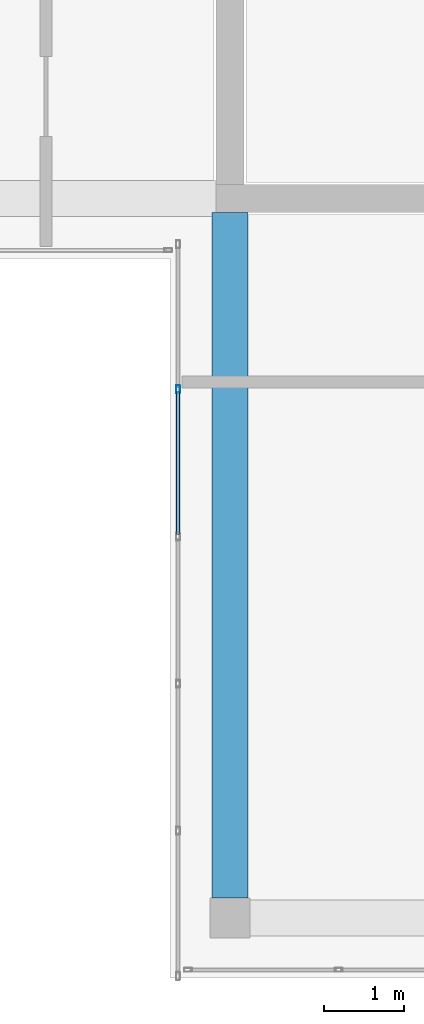
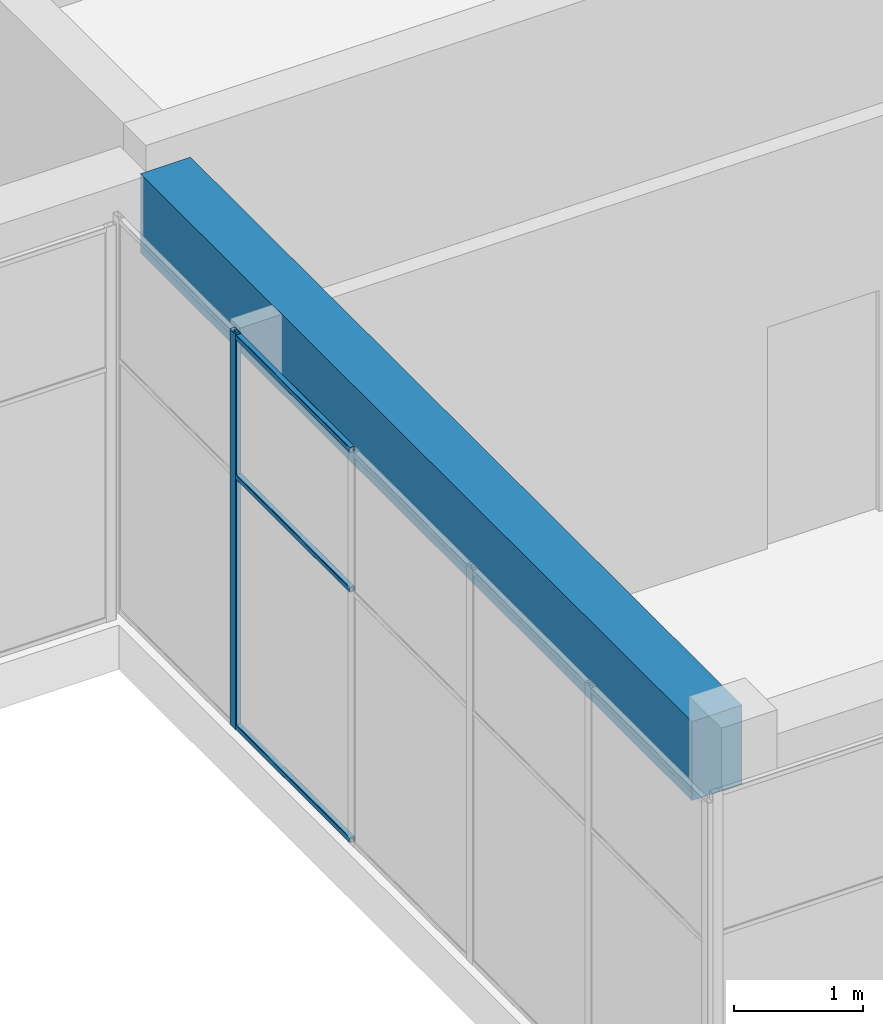
# One storey, part 3 of 34: 4 members, 1 beam, 1 element without a shape of its own.
"""IFC4 building model written with IfcOpenShell, lengths in metres."""

from ifc_helpers import new_model, si_unit, direction, frame, origin, origin_2d, place, context, subcontext, project, spatial, rectangle, hollow_rectangle, extrude, material, layer, layer_set, material_profile, profile_set, type_object, element, aggregate, save


model = new_model("IFC4")

# Units and contexts
model_context = context("Model", 3, precision=1e-05, world=origin(), true_north=direction((0.0, 1.0)))
body_context = subcontext(model_context, "Body", "Model", "MODEL_VIEW")
ifc_project = project(units=[si_unit("LENGTHUNIT", "METRE"), si_unit("AREAUNIT", "SQUARE_METRE"), si_unit("VOLUMEUNIT", "CUBIC_METRE"), si_unit("PLANEANGLEUNIT", "RADIAN"), si_unit("MASSUNIT", "GRAM", prefix="KILO")], contexts=[model_context])

# Site, building, storey
site_placement = place(None, origin())
site = spatial("IfcSite", under=ifc_project, at=site_placement, CompositionType="ELEMENT")
building_placement = place(site_placement, origin())
building = spatial("IfcBuilding", under=site, at=building_placement, Name="Tuart Plaza Theatre", CompositionType="ELEMENT")
storey_placement = place(building_placement, frame((0.0, 0.0, 53.5)))
storey = spatial("IfcBuildingStorey", under=building, at=storey_placement, Name="L13", CompositionType="ELEMENT", Elevation=53.5)

# Beam
ifc_material_1 = material(Name="Concrete N40 (40 MPa)", Category="concrete")
ifc_material_profile_1 = material_profile(ifc_material_1, rectangle(XDim=0.449951171875, YDim=0.75, at=origin_2d()), Name="BEAM 450x750 Concrete N40 (40 MPa)")
ifc_profile_set_1 = profile_set([ifc_material_profile_1], Name="Concrete N40 (40 MPa)")
beam_type = type_object("IfcBeamType", Name="BEAM 450x750 Concrete N40 (40 MPa)", PredefinedType="BEAM", material=ifc_profile_set_1)
beam_placement = place(storey_placement, frame((123.0, 56.25, 3.375), z_axis=(0.0, 1.0, 0.0), x_axis=(-1.0, 0.0, 0.0)))
element("IfcBeam", 1, at=beam_placement, inside=storey, type_object=beam_type, Name="RB327", PredefinedType="BEAM", context=body_context, shape_type="SweptSolid", body=[
    extrude(rectangle(XDim=0.449951171875, YDim=0.75, at=origin_2d()), origin(), (0.0, 0.0, 1.0), 8.574951171875),
])

# Curtain wall, members
ifc_material_2 = material(Name="Aluminium and glass", Category="aluminium")
ifc_layer = layer(ifc_material_2, 0.10009765625)
ifc_layer_set = layer_set([ifc_layer], Name="CURTAIN WALL 2000 module")
curtain_wall_type = type_object("IfcCurtainWallType", Name="CURTAIN WALL 2000 module", PredefinedType="NOTDEFINED", material=ifc_layer_set)
curtain_wall_placement = place(storey_placement, origin())
curtain_wall = element("IfcCurtainWall", 2, at=curtain_wall_placement, inside=storey, type_object=curtain_wall_type, Name="CW121", PredefinedType="NOTDEFINED")
ifc_material_3 = material(Name="Aluminium 6063-T5", Category="aluminium")
ifc_material_profile_2 = material_profile(ifc_material_3, hollow_rectangle(XDim=0.050048828125, YDim=0.10009765625, WallThickness=0.00390625, InnerFilletRadius=0.00390625, OuterFilletRadius=0.008056640625, at=origin_2d()), Name="RHS 100x50x4")
ifc_profile_set_2 = profile_set([ifc_material_profile_2], Name="Aluminium 6063-T5")
member_type_1 = type_object("IfcMemberType", Name="MULLION RHS 100x50x4", PredefinedType="MULLION", material=ifc_profile_set_2)
member_1_placement = place(storey_placement, frame((122.35009765625, 62.610107421875, 0.0), z_axis=(0.0, 0.0, 1.0), x_axis=(1.0, 0.0, 0.0)))
member_1 = element("IfcMember", 3, at=member_1_placement, type_object=member_type_1, Name="CW121 mullion 2", PredefinedType="MULLION", context=body_context, shape_type="SweptSolid", body=[
    extrude(hollow_rectangle(XDim=0.050048828125, YDim=0.10009765625, WallThickness=0.00390625, InnerFilletRadius=0.00390625, OuterFilletRadius=0.008056640625, at=origin_2d()), origin(), (0.0, 0.0, 1.0), 3.75),
])
ifc_material_4 = material(Name="Aluminium 6063-T5", Category="aluminium")
ifc_material_profile_3 = material_profile(ifc_material_4, hollow_rectangle(XDim=0.050048828125, YDim=0.050048828125, WallThickness=0.00390625, InnerFilletRadius=0.00390625, OuterFilletRadius=0.008056640625, at=origin_2d()), Name="RHS 50x50x4")
ifc_profile_set_3 = profile_set([ifc_material_profile_3], Name="Aluminium 6063-T5")
member_type_2 = type_object("IfcMemberType", Name="TRANSOM RHS 50x50x4", PredefinedType="USERDEFINED", material=ifc_profile_set_3)
member_2_placement = place(storey_placement, frame((122.35009765625, 62.5849609375, 0.02490234375), z_axis=(0.0, -1.0, 0.0), x_axis=(1.0, 0.0, 0.0)))
member_2 = element("IfcMember", 4, at=member_2_placement, type_object=member_type_2, Name="CW121 transom 2.1", ObjectType="TRANSOM", PredefinedType="USERDEFINED", context=body_context, shape_type="SweptSolid", body=[
    extrude(hollow_rectangle(XDim=0.050048828125, YDim=0.050048828125, WallThickness=0.00390625, InnerFilletRadius=0.00390625, OuterFilletRadius=0.008056640625, at=origin_2d()), origin(), (0.0, 0.0, 1.0), 1.7900390625),
])
member_3_placement = place(storey_placement, frame((122.35009765625, 62.5849609375, 2.39990234375), z_axis=(0.0, -1.0, 0.0), x_axis=(1.0, 0.0, 0.0)))
member_3 = element("IfcMember", 5, at=member_3_placement, type_object=member_type_2, Name="CW121 transom 2.2", ObjectType="TRANSOM", PredefinedType="USERDEFINED", context=body_context, shape_type="SweptSolid", body=[
    extrude(hollow_rectangle(XDim=0.050048828125, YDim=0.050048828125, WallThickness=0.00390625, InnerFilletRadius=0.00390625, OuterFilletRadius=0.008056640625, at=origin_2d()), origin(), (0.0, 0.0, 1.0), 1.7900390625),
])
member_4_placement = place(storey_placement, frame((122.35009765625, 62.5849609375, 3.72509765625), z_axis=(0.0, -1.0, 0.0), x_axis=(1.0, 0.0, 0.0)))
member_4 = element("IfcMember", 6, at=member_4_placement, type_object=member_type_2, Name="CW121 transom 2.3", ObjectType="TRANSOM", PredefinedType="USERDEFINED", context=body_context, shape_type="SweptSolid", body=[
    extrude(hollow_rectangle(XDim=0.050048828125, YDim=0.050048828125, WallThickness=0.00390625, InnerFilletRadius=0.00390625, OuterFilletRadius=0.008056640625, at=origin_2d()), origin(), (0.0, 0.0, 1.0), 1.7900390625),
])
aggregate(curtain_wall, [member_1, member_2, member_3, member_4])

save(model, "model.ifc")
